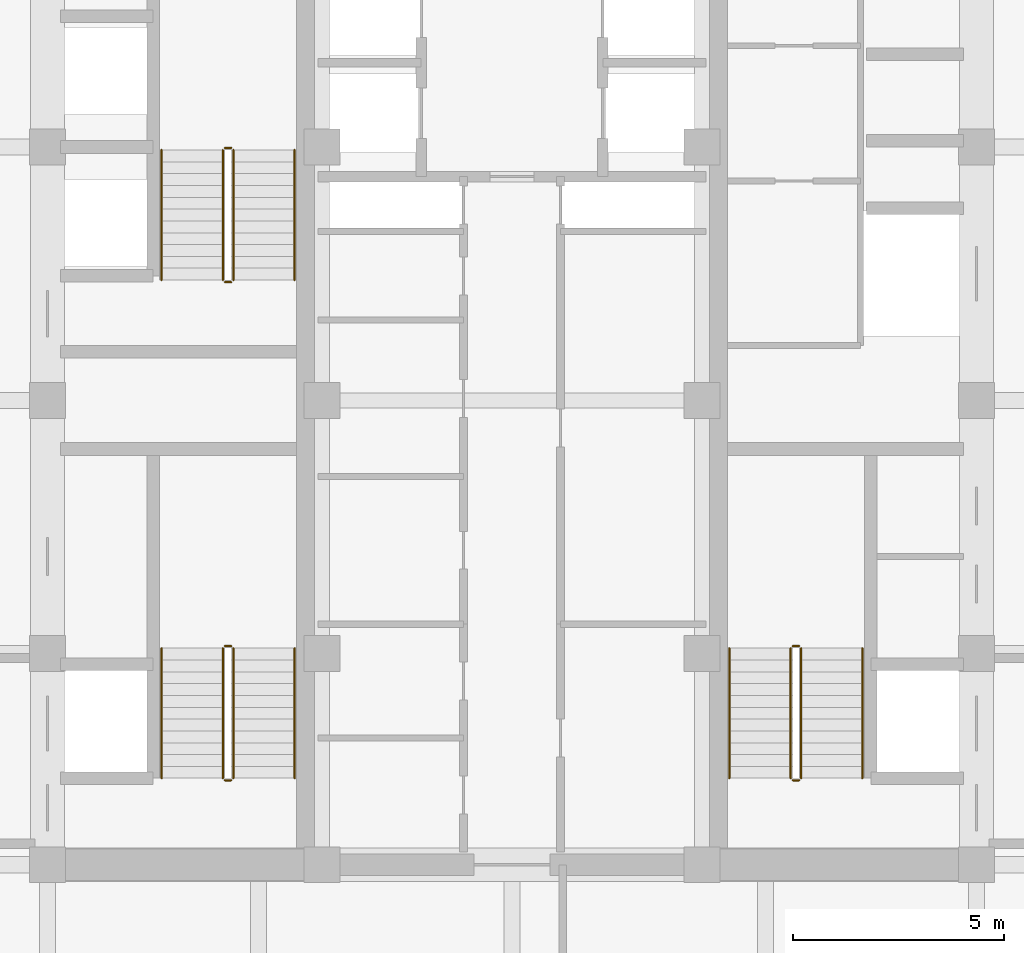
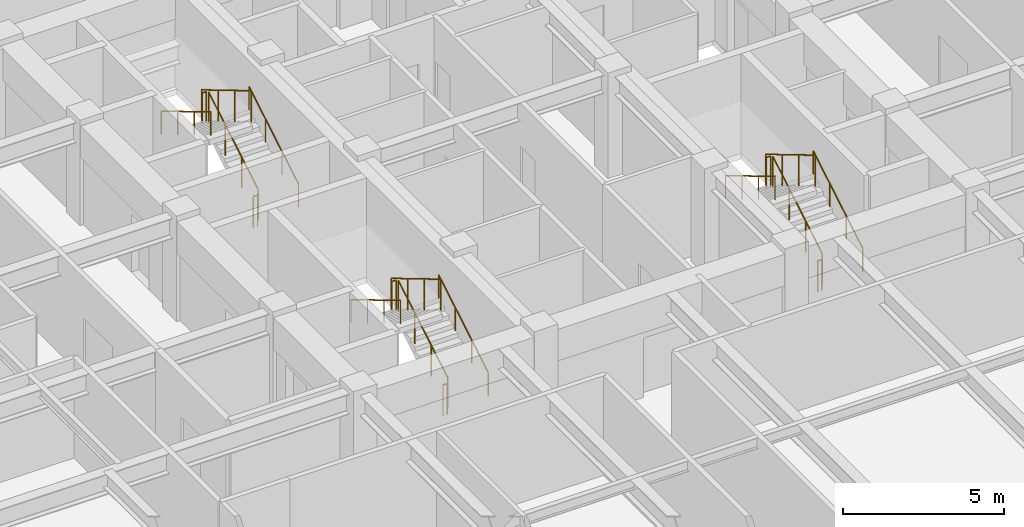
# One storey, part 24 of 24: 18 railings.
"""IFC4 building model written with IfcOpenShell, lengths in metres."""

from ifc_helpers import new_model, si_unit, direction, frame, origin, origin_2d, place, context, subcontext, project, spatial, circle, extrude, source, transform, mapped, material, type_object, element, save


model = new_model("IFC4")

# Units and contexts
model_context = context("Model", 3, precision=1e-05, world=origin(), true_north=direction((0.0, 1.0)))
body_context = subcontext(model_context, "Body", "Model", "MODEL_VIEW")
ifc_project = project(units=[si_unit("LENGTHUNIT", "METRE"), si_unit("AREAUNIT", "SQUARE_METRE"), si_unit("VOLUMEUNIT", "CUBIC_METRE"), si_unit("PLANEANGLEUNIT", "RADIAN"), si_unit("MASSUNIT", "GRAM", prefix="KILO")], contexts=[model_context])

# Site, building, storey
site_placement = place(None, origin())
site = spatial("IfcSite", under=ifc_project, at=site_placement, CompositionType="ELEMENT")
building_placement = place(site_placement, origin())
building = spatial("IfcBuilding", under=site, at=building_placement, Name="Khorayat Bourse Tower", CompositionType="ELEMENT")
storey_placement = place(building_placement, frame((0.0, 0.0, 171.10009765625)))
storey = spatial("IfcBuildingStorey", under=building, at=storey_placement, Name="L39", CompositionType="ELEMENT", Elevation=171.10009765625)

# Railings
ifc_material_1 = material(Name="Powder-coated steel balustrade", Category="steel")
railing_type_1 = type_object("IfcRailingType", Name="RLG-GUARD-1200", PredefinedType="GUARDRAIL", material=ifc_material_1)
shared_shape_1 = source(origin(), body_context, "Body", "SweptSolid", [
    extrude(circle(Radius=0.02392578125, at=origin_2d()), frame((0.0, 0.0, 1.17578125), z_axis=(-1.0, 0.0, 0.0), x_axis=(0.0, -1.0, 0.0)), (0.0, 0.0, 1.0), 0.150146484375),
    extrude(circle(Radius=0.02099609375, at=origin_2d()), origin(), (0.0, 0.0, 1.0), 1.15185546875),
    extrude(circle(Radius=0.02099609375, at=origin_2d()), frame((-0.150146484375, 0.0, 0.0)), (0.0, 0.0, 1.0), 1.15185546875),
])
for number, where, name in (
    (1, (-6.64990234375, -5.820068359375, 2.0), "L39 ST-1 stair guard 2"),
    (2, (-6.64990234375, -9.0, 0.0), "L39 ST-1 stair guard 4"),
    (3, (-6.64990234375, 5.97998046875, 2.0), "L39 ST-2 stair guard 2"),
    (4, (-6.64990234375, 2.800048828125, 0.0), "L39 ST-2 stair guard 4"),
    (5, (6.800048828125, -5.820068359375, 2.0), "L39 ST-3 stair guard 2"),
    (6, (6.800048828125, -9.0, 0.0), "L39 ST-3 stair guard 4"),
):
    element("IfcRailing", number, at=place(storey_placement, frame(where)), inside=storey, type_object=railing_type_1, Name=name, PredefinedType="GUARDRAIL", context=body_context, shape_type="MappedRepresentation", body=[
        mapped(shared_shape_1, transform((0.0, 0.0, 0.0), scale=1.0)),
    ])
shared_shape_2 = source(origin(), body_context, "Body", "SweptSolid", [
    extrude(circle(Radius=0.02392578125, at=origin_2d()), frame((0.0, 0.0, 1.17578125), z_axis=(0.0, 0.859260807169, 0.511537745687), x_axis=(-1.0, 0.0, 0.0)), (0.0, 0.0, 1.0), 3.584228515625),
    extrude(circle(Radius=0.02099609375, at=origin_2d()), origin(), (0.0, 0.0, 1.0), 1.15185546875),
    extrude(circle(Radius=0.02099609375, at=origin_2d()), frame((0.0, 1.026611328125, 0.611083984375)), (0.0, 0.0, 1.0), 1.15185546875),
    extrude(circle(Radius=0.02099609375, at=origin_2d()), frame((0.0, 2.05322265625, 1.222412109375)), (0.0, 0.0, 1.0), 1.15185546875),
    extrude(circle(Radius=0.02099609375, at=origin_2d()), frame((0.0, 3.079833984375, 1.83349609375)), (0.0, 0.0, 1.0), 1.15185546875),
])
for number, where, name in (
    (7, (-6.60009765625, -8.949951171875, 0.16650390625), "L39 ST-1 stair guard 1"),
    (8, (-6.60009765625, 2.85009765625, 0.16650390625), "L39 ST-2 stair guard 1"),
    (9, (6.85009765625, -8.949951171875, 0.16650390625), "L39 ST-3 stair guard 1"),
):
    element("IfcRailing", number, at=place(storey_placement, frame(where)), inside=storey, type_object=railing_type_1, Name=name, PredefinedType="GUARDRAIL", context=body_context, shape_type="MappedRepresentation", body=[
        mapped(shared_shape_2, transform((0.0, 0.0, 0.0), scale=1.0)),
    ])
shared_shape_3 = source(origin(), body_context, "Body", "SweptSolid", [
    extrude(circle(Radius=0.02392578125, at=origin_2d()), frame((0.0, 0.0, 1.17578125), z_axis=(0.0, -0.859260807169, 0.511537745687), x_axis=(1.0, 0.0, 0.0)), (0.0, 0.0, 1.0), 3.584228515625),
    extrude(circle(Radius=0.02099609375, at=origin_2d()), origin(), (0.0, 0.0, 1.0), 1.15185546875),
    extrude(circle(Radius=0.02099609375, at=origin_2d()), frame((0.0, -1.026611328125, 0.611083984375)), (0.0, 0.0, 1.0), 1.15185546875),
    extrude(circle(Radius=0.02099609375, at=origin_2d()), frame((0.0, -2.05322265625, 1.222412109375)), (0.0, 0.0, 1.0), 1.15185546875),
    extrude(circle(Radius=0.02099609375, at=origin_2d()), frame((0.0, -3.079833984375, 1.83349609375)), (0.0, 0.0, 1.0), 1.15185546875),
])
for number, where, name in (
    (10, (-6.85009765625, -5.8701171875, 2.16650390625), "L39 ST-1 stair guard 3"),
    (11, (-6.85009765625, 5.929931640625, 2.16650390625), "L39 ST-2 stair guard 3"),
    (12, (6.60009765625, -5.8701171875, 2.16650390625), "L39 ST-3 stair guard 3"),
):
    element("IfcRailing", number, at=place(storey_placement, frame(where)), inside=storey, type_object=railing_type_1, Name=name, PredefinedType="GUARDRAIL", context=body_context, shape_type="MappedRepresentation", body=[
        mapped(shared_shape_3, transform((0.0, 0.0, 0.0), scale=1.0)),
    ])
ifc_material_2 = material(Name="Brushed bronze stainless-steel handrail", Category="steel")
railing_type_2 = type_object("IfcRailingType", Name="RLG-HAND-900", PredefinedType="HANDRAIL", material=ifc_material_2)
shared_shape_4 = source(origin(), body_context, "Body", "SweptSolid", [
    extrude(circle(Radius=0.02392578125, at=origin_2d()), frame((0.0, 0.0, 0.8759765625), z_axis=(0.0, 0.859260807169, 0.511537745687), x_axis=(-1.0, 0.0, 0.0)), (0.0, 0.0, 1.0), 3.584228515625),
    extrude(circle(Radius=0.02099609375, at=origin_2d()), origin(), (0.0, 0.0, 1.0), 0.851806640625),
    extrude(circle(Radius=0.02099609375, at=origin_2d()), frame((0.0, 1.026611328125, 0.611083984375)), (0.0, 0.0, 1.0), 0.851806640625),
    extrude(circle(Radius=0.02099609375, at=origin_2d()), frame((0.0, 2.05322265625, 1.222412109375)), (0.0, 0.0, 1.0), 0.851806640625),
    extrude(circle(Radius=0.02099609375, at=origin_2d()), frame((0.0, 3.079833984375, 1.83349609375)), (0.0, 0.0, 1.0), 0.851806640625),
])
for number, where, name in (
    (13, (-5.14990234375, -8.949951171875, 0.16650390625), "L39 ST-1 stair handrail 1"),
    (14, (-5.14990234375, 2.85009765625, 0.16650390625), "L39 ST-2 stair handrail 1"),
    (15, (8.300048828125, -8.949951171875, 0.16650390625), "L39 ST-3 stair handrail 1"),
):
    element("IfcRailing", number, at=place(storey_placement, frame(where)), inside=storey, type_object=railing_type_2, Name=name, PredefinedType="HANDRAIL", context=body_context, shape_type="MappedRepresentation", body=[
        mapped(shared_shape_4, transform((0.0, 0.0, 0.0), scale=1.0)),
    ])
shared_shape_5 = source(origin(), body_context, "Body", "SweptSolid", [
    extrude(circle(Radius=0.02392578125, at=origin_2d()), frame((0.0, 0.0, 0.8759765625), z_axis=(0.0, -0.859260807169, 0.511537745687), x_axis=(1.0, 0.0, 0.0)), (0.0, 0.0, 1.0), 3.584228515625),
    extrude(circle(Radius=0.02099609375, at=origin_2d()), origin(), (0.0, 0.0, 1.0), 0.851806640625),
    extrude(circle(Radius=0.02099609375, at=origin_2d()), frame((0.0, -1.026611328125, 0.611083984375)), (0.0, 0.0, 1.0), 0.851806640625),
    extrude(circle(Radius=0.02099609375, at=origin_2d()), frame((0.0, -2.05322265625, 1.222412109375)), (0.0, 0.0, 1.0), 0.851806640625),
    extrude(circle(Radius=0.02099609375, at=origin_2d()), frame((0.0, -3.079833984375, 1.83349609375)), (0.0, 0.0, 1.0), 0.851806640625),
])
for number, where, name in (
    (16, (-8.300048828125, -5.8701171875, 2.16650390625), "L39 ST-1 stair handrail 2"),
    (17, (-8.300048828125, 5.929931640625, 2.16650390625), "L39 ST-2 stair handrail 2"),
    (18, (5.14990234375, -5.8701171875, 2.16650390625), "L39 ST-3 stair handrail 2"),
):
    element("IfcRailing", number, at=place(storey_placement, frame(where)), inside=storey, type_object=railing_type_2, Name=name, PredefinedType="HANDRAIL", context=body_context, shape_type="MappedRepresentation", body=[
        mapped(shared_shape_5, transform((0.0, 0.0, 0.0), scale=1.0)),
    ])

save(model, "model.ifc")
